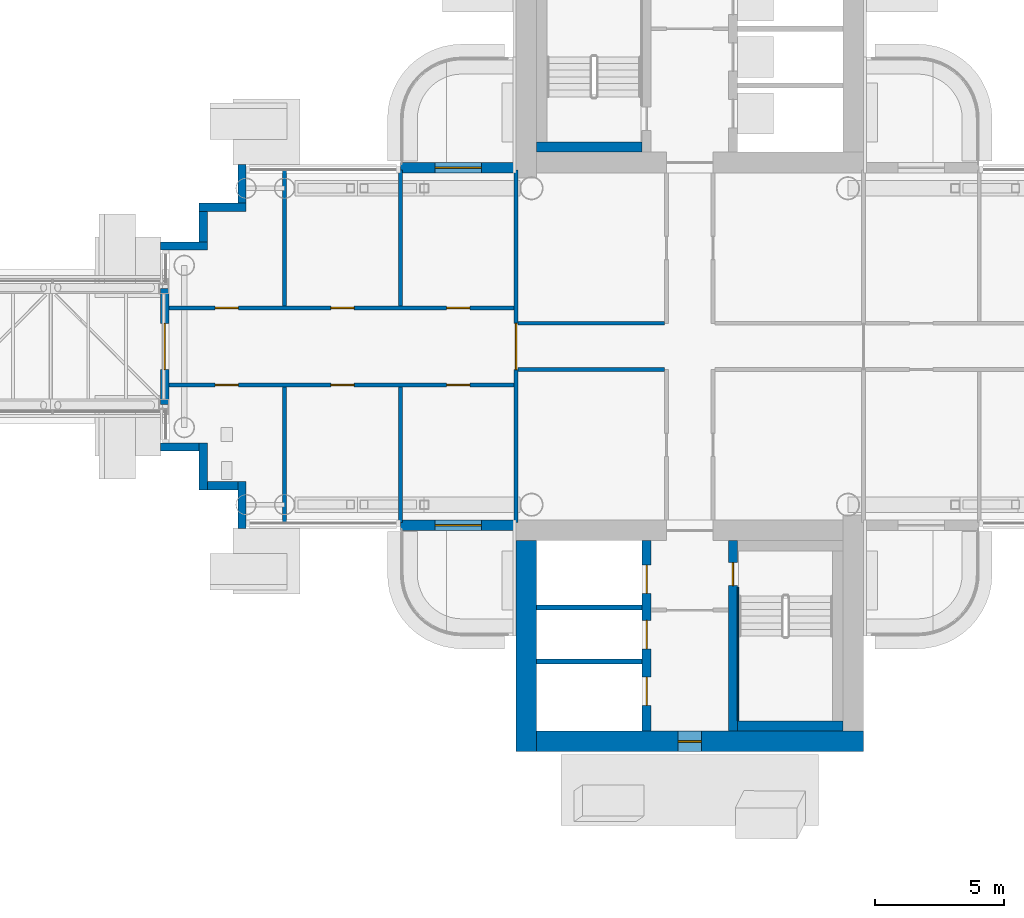
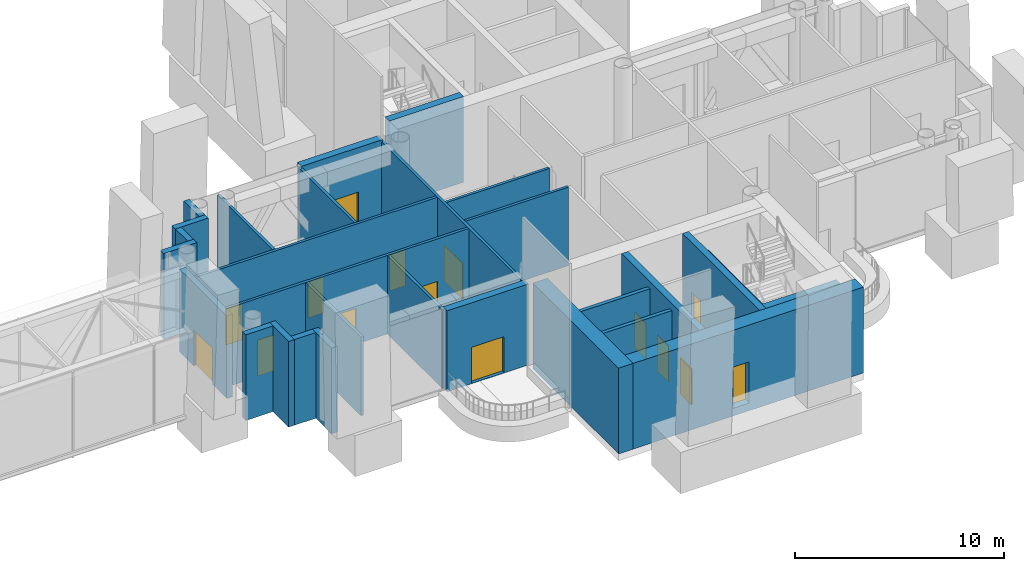
# One storey, part 15 of 34: 29 walls, 14 doors, 1 window, 15 openings.
"""IFC4 building model written with IfcOpenShell, lengths in metres."""

from ifc_helpers import new_model, si_unit, direction, frame, frame_2d, origin, place, context, subcontext, project, spatial, rectangle, extrude, material, layer, layer_set, type_object, element, fill, save


model = new_model("IFC4")

# Units and contexts
model_context = context("Model", 3, precision=1e-05, world=origin(), true_north=direction((0.0, 1.0)))
body_context = subcontext(model_context, "Body", "Model", "MODEL_VIEW")
ifc_project = project(units=[si_unit("LENGTHUNIT", "METRE"), si_unit("AREAUNIT", "SQUARE_METRE"), si_unit("VOLUMEUNIT", "CUBIC_METRE"), si_unit("PLANEANGLEUNIT", "RADIAN"), si_unit("MASSUNIT", "GRAM", prefix="KILO")], contexts=[model_context])

# Site, building, storey
site_placement = place(None, origin())
site = spatial("IfcSite", under=ifc_project, at=site_placement, CompositionType="ELEMENT")
building_placement = place(site_placement, origin())
building = spatial("IfcBuilding", under=site, at=building_placement, Name="Ipe Terrace Towers", CompositionType="ELEMENT")
storey_placement = place(building_placement, frame((0.0, 0.0, 128.699951171875)))
storey = spatial("IfcBuildingStorey", under=building, at=storey_placement, Name="L35", CompositionType="ELEMENT", Elevation=128.699951171875)

# Wall, opening, door
ifc_material_1 = material(Name="Concrete C40/50 with buff precast cladding", Category="concrete")
ifc_layer_1 = layer(ifc_material_1, 0.39990234375)
ifc_layer_set_1 = layer_set([ifc_layer_1], Name="BALCONY BAY WALL 400")
wall_type_1 = type_object("IfcWallType", Name="BALCONY BAY WALL 400", PredefinedType="STANDARD", material=ifc_layer_set_1)
wall_1_placement = place(storey_placement, frame((29.25, 6.949951171875, -0.02001953125), z_axis=(0.0, 0.0, 1.0), x_axis=(-1.0, 0.0, 0.0)))
wall_1 = element("IfcWall", 1, at=wall_1_placement, inside=storey, type_object=wall_type_1, Name="T2-W-L35-28a wall", PredefinedType="STANDARD", context=body_context, shape_type="SweptSolid", body=[
    extrude(rectangle(XDim=4.5, YDim=0.39990234375, at=frame_2d((2.25, 0.0))), origin(), (0.0, 0.0, 1.0), 4.719970703125),
])
opening_1_placement = place(wall_1_placement, frame((1.35009765625, 0.0, 0.02001953125)))
opening_1 = element("IfcOpeningElement", 2, at=opening_1_placement, cuts=wall_1, Name="Opening T2-D-L35-28", PredefinedType="OPENING", context=body_context, shape_type="SweptSolid", body=[
    extrude(rectangle(XDim=1.800048828125, YDim=2.10009765625, at=frame_2d((0.89990234375, 1.050048828125))), frame((0.0, 0.2099609375, 0.0), z_axis=(0.0, -1.0, 0.0), x_axis=(1.0, 0.0, 0.0)), (0.0, 0.0, 1.0), 0.419921875),
])
ifc_material_2 = material(Name="Aluminium alloy 6063-T6 framed glazed door", Category="aluminium")
door_type_1 = type_object("IfcDoorType", Name="BALCONY DOOR 1800 x 2100 RIGHT", OperationType="SINGLE_SWING_RIGHT", PredefinedType="DOOR", material=ifc_material_2)
door_1_placement = place(opening_1_placement, origin())
door_1 = element("IfcDoor", 3, at=door_1_placement, inside=storey, type_object=door_type_1, Name="DB2 door", OperationType="SINGLE_SWING_RIGHT", OverallHeight=2.10009765625, OverallWidth=1.800048828125, PredefinedType="DOOR", context=body_context, shape_type="SweptSolid", body=[
    extrude(rectangle(XDim=1.800048828125, YDim=2.10009765625, at=frame_2d((0.89990234375, 1.050048828125))), frame((0.0, 0.02490234375, 0.0), z_axis=(0.0, -1.0, 0.0), x_axis=(1.0, 0.0, 0.0)), (0.0, 0.0, 1.0), 0.050048828125),
])
fill(opening_1, door_1)

wall_2_placement = place(storey_placement, frame((24.75, -6.949951171875, -0.02001953125), z_axis=(0.0, 0.0, 1.0), x_axis=(1.0, 0.0, 0.0)))
wall_2 = element("IfcWall", 4, at=wall_2_placement, inside=storey, type_object=wall_type_1, Name="T2-W-L35-40a wall", PredefinedType="STANDARD", context=body_context, shape_type="SweptSolid", body=[
    extrude(rectangle(XDim=4.5, YDim=0.39990234375, at=frame_2d((2.25, 0.0))), origin(), (0.0, 0.0, 1.0), 4.719970703125),
])
opening_2_placement = place(wall_2_placement, frame((1.35009765625, 0.0, 0.02001953125)))
opening_2 = element("IfcOpeningElement", 5, at=opening_2_placement, cuts=wall_2, Name="Opening T2-D-L35-40", PredefinedType="OPENING", context=body_context, shape_type="SweptSolid", body=[
    extrude(rectangle(XDim=1.800048828125, YDim=2.10009765625, at=frame_2d((0.89990234375, 1.050048828125))), frame((0.0, 0.2099609375, 0.0), z_axis=(0.0, -1.0, 0.0), x_axis=(1.0, 0.0, 0.0)), (0.0, 0.0, 1.0), 0.419921875),
])
door_2_placement = place(opening_2_placement, origin())
door_2 = element("IfcDoor", 6, at=door_2_placement, inside=storey, type_object=door_type_1, Name="DB2 door", OperationType="SINGLE_SWING_RIGHT", OverallHeight=2.10009765625, OverallWidth=1.800048828125, PredefinedType="DOOR", context=body_context, shape_type="SweptSolid", body=[
    extrude(rectangle(XDim=1.800048828125, YDim=2.10009765625, at=frame_2d((0.89990234375, 1.050048828125))), frame((0.0, 0.02490234375, 0.0), z_axis=(0.0, -1.0, 0.0), x_axis=(1.0, 0.0, 0.0)), (0.0, 0.0, 1.0), 0.050048828125),
])
fill(opening_2, door_2)

# Walls
ifc_material_3 = material(Name="Concrete C40/50 with buff precast cladding", Category="concrete")
ifc_layer_2 = layer(ifc_material_3, 0.320068359375)
ifc_layer_set_2 = layer_set([ifc_layer_2], Name="BUFF CLADDING WALL 320")
wall_type_2 = type_object("IfcWallType", Name="BUFF CLADDING WALL 320", PredefinedType="STANDARD", material=ifc_layer_set_2)
wall_3_placement = place(storey_placement, frame((18.590087890625, 7.070068359375, -0.300048828125), z_axis=(0.0, 0.0, 1.0), x_axis=(0.0, -1.0, 0.0)))
element("IfcWall", 7, at=wall_3_placement, inside=storey, type_object=wall_type_2, Name="T2-W-L35-30a wall", PredefinedType="STANDARD", context=body_context, shape_type="SweptSolid", body=[
    extrude(rectangle(XDim=1.5, YDim=0.320068359375, at=frame_2d((0.75, 0.0))), origin(), (0.0, 0.0, 1.0), 5.0),
])
wall_4_placement = place(storey_placement, frame((18.75, 5.409912109375, -0.300048828125), z_axis=(0.0, 0.0, 1.0), x_axis=(-1.0, 0.0, 0.0)))
element("IfcWall", 8, at=wall_4_placement, inside=storey, type_object=wall_type_2, Name="T2-W-L35-31a wall", PredefinedType="STANDARD", context=body_context, shape_type="SweptSolid", body=[
    extrude(rectangle(XDim=1.820068359375, YDim=0.320068359375, at=frame_2d((0.91015625, 0.0))), origin(), (0.0, 0.0, 1.0), 5.0),
])
wall_5_placement = place(storey_placement, frame((17.090087890625, 5.25, -0.300048828125), z_axis=(0.0, 0.0, 1.0), x_axis=(0.0, -1.0, 0.0)))
element("IfcWall", 9, at=wall_5_placement, inside=storey, type_object=wall_type_2, Name="T2-W-L35-32a wall", PredefinedType="STANDARD", context=body_context, shape_type="SweptSolid", body=[
    extrude(rectangle(XDim=1.179931640625, YDim=0.320068359375, at=frame_2d((0.58984375, 0.0))), origin(), (0.0, 0.0, 1.0), 5.0),
])
wall_6_placement = place(storey_placement, frame((17.25, 3.909912109375, -0.300048828125), z_axis=(0.0, 0.0, 1.0), x_axis=(-1.0, 0.0, 0.0)))
element("IfcWall", 10, at=wall_6_placement, inside=storey, type_object=wall_type_2, Name="T2-W-L35-33a wall", PredefinedType="STANDARD", context=body_context, shape_type="SweptSolid", body=[
    extrude(rectangle(XDim=1.820068359375, YDim=0.320068359375, at=frame_2d((0.91015625, 0.0))), origin(), (0.0, 0.0, 1.0), 5.0),
])

# Wall, opening, door
wall_7_placement = place(storey_placement, frame((15.590087890625, 2.25, -0.119873046875), z_axis=(0.0, 0.0, 1.0), x_axis=(0.0, -1.0, 0.0)))
wall_7 = element("IfcWall", 11, at=wall_7_placement, inside=storey, type_object=wall_type_2, Name="T2-W-L35-34b wall", PredefinedType="STANDARD", context=body_context, shape_type="SweptSolid", body=[
    extrude(rectangle(XDim=4.5, YDim=0.320068359375, at=frame_2d((2.25, 0.0))), origin(), (0.0, 0.0, 1.0), 4.81982421875),
])
opening_3_placement = place(wall_7_placement, frame((1.35009765625, 0.0, 0.0)))
opening_3 = element("IfcOpeningElement", 12, at=opening_3_placement, cuts=wall_7, Name="Opening T2-D-L35-34", PredefinedType="OPENING", context=body_context, shape_type="SweptSolid", body=[
    extrude(rectangle(XDim=1.800048828125, YDim=2.10009765625, at=frame_2d((0.89990234375, 1.050048828125))), frame((0.0, 0.169921875, 0.0), z_axis=(0.0, -1.0, 0.0), x_axis=(1.0, 0.0, 0.0)), (0.0, 0.0, 1.0), 0.340087890625),
])
ifc_material_4 = material(Name="Steel S235 fire door", Category="steel")
door_type_2 = type_object("IfcDoorType", Name="BRIDGE FIRE DOOR 1800 x 2100", OperationType="DOUBLE_DOOR_SINGLE_SWING", PredefinedType="DOOR", material=ifc_material_4)
door_3_placement = place(opening_3_placement, origin())
door_3 = element("IfcDoor", 13, at=door_3_placement, inside=storey, type_object=door_type_2, Name="DF1 door", OperationType="DOUBLE_DOOR_SINGLE_SWING", OverallHeight=2.10009765625, OverallWidth=1.800048828125, PredefinedType="DOOR", context=body_context, shape_type="SweptSolid", body=[
    extrude(rectangle(XDim=1.800048828125, YDim=2.10009765625, at=frame_2d((0.89990234375, 1.050048828125))), frame((0.0, 0.02490234375, 0.0), z_axis=(0.0, -1.0, 0.0), x_axis=(1.0, 0.0, 0.0)), (0.0, 0.0, 1.0), 0.050048828125),
])
fill(opening_3, door_3)

# Walls
wall_8_placement = place(storey_placement, frame((15.429931640625, -3.909912109375, -0.300048828125), z_axis=(0.0, 0.0, 1.0), x_axis=(1.0, 0.0, 0.0)))
element("IfcWall", 14, at=wall_8_placement, inside=storey, type_object=wall_type_2, Name="T2-W-L35-35a wall", PredefinedType="STANDARD", context=body_context, shape_type="SweptSolid", body=[
    extrude(rectangle(XDim=1.5, YDim=0.320068359375, at=frame_2d((0.75, 0.0))), origin(), (0.0, 0.0, 1.0), 5.0),
])
wall_9_placement = place(storey_placement, frame((17.090087890625, -3.75, -0.300048828125), z_axis=(0.0, 0.0, 1.0), x_axis=(0.0, -1.0, 0.0)))
element("IfcWall", 15, at=wall_9_placement, inside=storey, type_object=wall_type_2, Name="T2-W-L35-36a wall", PredefinedType="STANDARD", context=body_context, shape_type="SweptSolid", body=[
    extrude(rectangle(XDim=1.820068359375, YDim=0.320068359375, at=frame_2d((0.91015625, 0.0))), origin(), (0.0, 0.0, 1.0), 5.0),
])
wall_10_placement = place(storey_placement, frame((17.25, -5.409912109375, -0.300048828125), z_axis=(0.0, 0.0, 1.0), x_axis=(1.0, 0.0, 0.0)))
element("IfcWall", 16, at=wall_10_placement, inside=storey, type_object=wall_type_2, Name="T2-W-L35-37a wall", PredefinedType="STANDARD", context=body_context, shape_type="SweptSolid", body=[
    extrude(rectangle(XDim=1.179931640625, YDim=0.320068359375, at=frame_2d((0.58984375, 0.0))), origin(), (0.0, 0.0, 1.0), 5.0),
])
wall_11_placement = place(storey_placement, frame((18.590087890625, -5.25, -0.300048828125), z_axis=(0.0, 0.0, 1.0), x_axis=(0.0, -1.0, 0.0)))
element("IfcWall", 17, at=wall_11_placement, inside=storey, type_object=wall_type_2, Name="T2-W-L35-38a wall", PredefinedType="STANDARD", context=body_context, shape_type="SweptSolid", body=[
    extrude(rectangle(XDim=1.820068359375, YDim=0.320068359375, at=frame_2d((0.91015625, 0.0))), origin(), (0.0, 0.0, 1.0), 5.0),
])
ifc_material_5 = material(Name="Gypsum board partition", Category="plasterboard")
ifc_layer_3 = layer(ifc_material_5, 0.14990234375)
ifc_layer_set_3 = layer_set([ifc_layer_3], Name="Gypsum board partition 150 mm")
wall_type_3 = type_object("IfcWallType", Name="Gypsum board partition 150 mm", PredefinedType="PARTITIONING", material=ifc_layer_set_3)
for number, where, z_axis, x_axis, name in (
    (18, (35.02490234375, 0.89990234375, 0.0), (0.0, 0.0, 1.0), (-1.0, 0.0, 0.0), "Gypsum board partition T2 L35 sp-hub-qen-y"),
    (19, (35.02490234375, -0.89990234375, 0.0), (0.0, 0.0, 1.0), (-1.0, 0.0, 0.0), "Gypsum board partition T2 L35 sp-hub-qwn-y"),
):
    element("IfcWall", number, at=place(storey_placement, frame(where, z_axis=z_axis, x_axis=x_axis)), inside=storey, type_object=wall_type_3, Name=name, PredefinedType="PARTITIONING", context=body_context, shape_type="SweptSolid", body=[
        extrude(rectangle(XDim=5.699951171875, YDim=0.14990234375, at=frame_2d((2.85009765625, 0.0))), origin(), (0.0, 0.0, 1.0), 4.580078125),
    ])

# Wall, opening, door
wall_12_placement = place(storey_placement, frame((29.25, -6.85009765625, 0.0), z_axis=(0.0, 0.0, 1.0), x_axis=(0.0, 1.0, 0.0)))
wall_12 = element("IfcWall", 20, at=wall_12_placement, inside=storey, type_object=wall_type_3, Name="Gypsum board partition T2 L35 sp-Sp-mouth", PredefinedType="PARTITIONING", context=body_context, shape_type="SweptSolid", body=[
    extrude(rectangle(XDim=13.7001953125, YDim=0.14990234375, at=frame_2d((6.85009765625, 0.0))), origin(), (0.0, 0.0, 1.0), 4.580078125),
])
opening_4_placement = place(wall_12_placement, frame((5.949951171875, 0.0, 0.0)))
opening_4 = element("IfcOpeningElement", 21, at=opening_4_placement, cuts=wall_12, Name="Opening T2-SP-MSp", PredefinedType="OPENING", context=body_context, shape_type="SweptSolid", body=[
    extrude(rectangle(XDim=1.800048828125, YDim=2.10009765625, at=frame_2d((0.89990234375, 1.050048828125))), frame((0.0, 0.0849609375, 0.0), z_axis=(0.0, -1.0, 0.0), x_axis=(1.0, 0.0, 0.0)), (0.0, 0.0, 1.0), 0.169921875),
])
ifc_material_6 = material(Name="Fire-rated timber door leaf", Category="wood")
door_type_3 = type_object("IfcDoorType", Name="Lobby door 1800 x 2100 FD30S", OperationType="NOTDEFINED", PredefinedType="DOOR", material=ifc_material_6)
door_4_placement = place(opening_4_placement, origin())
door_4 = element("IfcDoor", 22, at=door_4_placement, inside=storey, type_object=door_type_3, Name="Lobby door T2-SP-MSp", OperationType="SINGLE_SWING_LEFT", OverallHeight=2.10009765625, OverallWidth=1.800048828125, PredefinedType="DOOR", context=body_context, shape_type="SweptSolid", body=[
    extrude(rectangle(XDim=1.800048828125, YDim=2.10009765625, at=frame_2d((0.89990234375, 1.050048828125))), frame((0.0, 0.02490234375, 0.0), z_axis=(0.0, -1.0, 0.0), x_axis=(1.0, 0.0, 0.0)), (0.0, 0.0, 1.0), 0.050048828125),
])
fill(opening_4, door_4)

# Wall, openings, doors
wall_13_placement = place(storey_placement, frame((29.25, 1.5, 0.0), z_axis=(0.0, 0.0, 1.0), x_axis=(-1.0, 0.0, 0.0)))
wall_13 = element("IfcWall", 23, at=wall_13_placement, inside=storey, type_object=wall_type_3, Name="Gypsum board partition T2 L35 sp-Sp-wp", PredefinedType="PARTITIONING", context=body_context, shape_type="SweptSolid", body=[
    extrude(rectangle(XDim=13.60009765625, YDim=0.14990234375, at=frame_2d((6.800048828125, 0.0))), origin(), (0.0, 0.0, 1.0), 4.580078125),
])
opening_5_placement = place(wall_13_placement, frame((1.800048828125, 0.0, 0.0)))
opening_5 = element("IfcOpeningElement", 24, at=opening_5_placement, cuts=wall_13, Name="Opening T2-SP-PSp1", PredefinedType="OPENING", context=body_context, shape_type="SweptSolid", body=[
    extrude(rectangle(XDim=0.89990234375, YDim=2.10009765625, at=frame_2d((0.449951171875, 1.050048828125))), frame((0.0, 0.0849609375, 0.0), z_axis=(0.0, -1.0, 0.0), x_axis=(1.0, 0.0, 0.0)), (0.0, 0.0, 1.0), 0.169921875),
])
opening_6_placement = place(wall_13_placement, frame((6.300048828125, 0.0, 0.0)))
opening_6 = element("IfcOpeningElement", 25, at=opening_6_placement, cuts=wall_13, Name="Opening T2-SP-PSp2-FD30S", PredefinedType="OPENING", context=body_context, shape_type="SweptSolid", body=[
    extrude(rectangle(XDim=0.89990234375, YDim=2.10009765625, at=frame_2d((0.449951171875, 1.050048828125))), frame((0.0, 0.0849609375, 0.0), z_axis=(0.0, -1.0, 0.0), x_axis=(1.0, 0.0, 0.0)), (0.0, 0.0, 1.0), 0.169921875),
])
opening_7_placement = place(wall_13_placement, frame((10.800048828125, 0.0, 0.0)))
opening_7 = element("IfcOpeningElement", 26, at=opening_7_placement, cuts=wall_13, Name="Opening T2-SP-PSp3", PredefinedType="OPENING", context=body_context, shape_type="SweptSolid", body=[
    extrude(rectangle(XDim=0.89990234375, YDim=2.10009765625, at=frame_2d((0.449951171875, 1.050048828125))), frame((0.0, 0.0849609375, 0.0), z_axis=(0.0, -1.0, 0.0), x_axis=(1.0, 0.0, 0.0)), (0.0, 0.0, 1.0), 0.169921875),
])
ifc_material_7 = material(Name="Fire-rated timber door leaf", Category="wood")
door_type_4 = type_object("IfcDoorType", Name="Lounge door 900 x 2100 FD30S", OperationType="NOTDEFINED", PredefinedType="DOOR", material=ifc_material_7)
door_5_placement = place(opening_5_placement, origin())
door_5 = element("IfcDoor", 27, at=door_5_placement, inside=storey, type_object=door_type_4, Name="Lounge door T2-SP-PSp1", OperationType="SINGLE_SWING_LEFT", OverallHeight=2.10009765625, OverallWidth=0.89990234375, PredefinedType="DOOR", context=body_context, shape_type="SweptSolid", body=[
    extrude(rectangle(XDim=0.89990234375, YDim=2.10009765625, at=frame_2d((0.449951171875, 1.050048828125))), frame((0.0, 0.02490234375, 0.0), z_axis=(0.0, -1.0, 0.0), x_axis=(1.0, 0.0, 0.0)), (0.0, 0.0, 1.0), 0.050048828125),
])
fill(opening_5, door_5)
door_6_placement = place(opening_6_placement, origin())
door_6 = element("IfcDoor", 28, at=door_6_placement, inside=storey, type_object=door_type_4, Name="Lounge door T2-SP-PSp2-FD30S", OperationType="SINGLE_SWING_RIGHT", OverallHeight=2.10009765625, OverallWidth=0.89990234375, PredefinedType="DOOR", context=body_context, shape_type="SweptSolid", body=[
    extrude(rectangle(XDim=0.89990234375, YDim=2.10009765625, at=frame_2d((0.449951171875, 1.050048828125))), frame((0.0, 0.02490234375, 0.0), z_axis=(0.0, -1.0, 0.0), x_axis=(1.0, 0.0, 0.0)), (0.0, 0.0, 1.0), 0.050048828125),
])
fill(opening_6, door_6)
door_7_placement = place(opening_7_placement, origin())
door_7 = element("IfcDoor", 29, at=door_7_placement, inside=storey, type_object=door_type_4, Name="Lounge door T2-SP-PSp3", OperationType="SINGLE_SWING_LEFT", OverallHeight=2.10009765625, OverallWidth=0.89990234375, PredefinedType="DOOR", context=body_context, shape_type="SweptSolid", body=[
    extrude(rectangle(XDim=0.89990234375, YDim=2.10009765625, at=frame_2d((0.449951171875, 1.050048828125))), frame((0.0, 0.02490234375, 0.0), z_axis=(0.0, -1.0, 0.0), x_axis=(1.0, 0.0, 0.0)), (0.0, 0.0, 1.0), 0.050048828125),
])
fill(opening_7, door_7)

# Walls
for number, where, z_axis, x_axis, name in (
    (30, (24.75, 1.574951171875, 0.0), (0.0, 0.0, 1.0), (0.0, 1.0, 0.0), "Gypsum board partition T2 L35 sp-Sp-dp1"),
    (31, (20.25, 1.574951171875, 0.0), (0.0, 0.0, 1.0), (0.0, 1.0, 0.0), "Gypsum board partition T2 L35 sp-Sp-dp2"),
):
    element("IfcWall", number, at=place(storey_placement, frame(where, z_axis=z_axis, x_axis=x_axis)), inside=storey, type_object=wall_type_3, Name=name, PredefinedType="PARTITIONING", context=body_context, shape_type="SweptSolid", body=[
        extrude(rectangle(XDim=5.275146484375, YDim=0.14990234375, at=frame_2d((2.6376953125, 0.0))), origin(), (0.0, 0.0, 1.0), 4.580078125),
    ])

# Wall, openings, doors
wall_14_placement = place(storey_placement, frame((29.25, -1.5, 0.0), z_axis=(0.0, 0.0, 1.0), x_axis=(-1.0, 0.0, 0.0)))
wall_14 = element("IfcWall", 32, at=wall_14_placement, inside=storey, type_object=wall_type_3, Name="Gypsum board partition T2 L35 sp-Sp-wm", PredefinedType="PARTITIONING", context=body_context, shape_type="SweptSolid", body=[
    extrude(rectangle(XDim=13.60009765625, YDim=0.14990234375, at=frame_2d((6.800048828125, 0.0))), origin(), (0.0, 0.0, 1.0), 4.580078125),
])
opening_8_placement = place(wall_14_placement, frame((1.800048828125, 0.0, 0.0)))
opening_8 = element("IfcOpeningElement", 33, at=opening_8_placement, cuts=wall_14, Name="Opening T2-SP-MSp1", PredefinedType="OPENING", context=body_context, shape_type="SweptSolid", body=[
    extrude(rectangle(XDim=0.89990234375, YDim=2.10009765625, at=frame_2d((0.449951171875, 1.050048828125))), frame((0.0, 0.0849609375, 0.0), z_axis=(0.0, -1.0, 0.0), x_axis=(1.0, 0.0, 0.0)), (0.0, 0.0, 1.0), 0.169921875),
])
opening_9_placement = place(wall_14_placement, frame((6.300048828125, 0.0, 0.0)))
opening_9 = element("IfcOpeningElement", 34, at=opening_9_placement, cuts=wall_14, Name="Opening T2-SP-MSp2", PredefinedType="OPENING", context=body_context, shape_type="SweptSolid", body=[
    extrude(rectangle(XDim=0.89990234375, YDim=2.10009765625, at=frame_2d((0.449951171875, 1.050048828125))), frame((0.0, 0.0849609375, 0.0), z_axis=(0.0, -1.0, 0.0), x_axis=(1.0, 0.0, 0.0)), (0.0, 0.0, 1.0), 0.169921875),
])
opening_10_placement = place(wall_14_placement, frame((10.800048828125, 0.0, 0.0)))
opening_10 = element("IfcOpeningElement", 35, at=opening_10_placement, cuts=wall_14, Name="Opening T2-SP-MSp3-NR", PredefinedType="OPENING", context=body_context, shape_type="SweptSolid", body=[
    extrude(rectangle(XDim=0.89990234375, YDim=2.10009765625, at=frame_2d((0.449951171875, 1.050048828125))), frame((0.0, 0.0849609375, 0.0), z_axis=(0.0, -1.0, 0.0), x_axis=(1.0, 0.0, 0.0)), (0.0, 0.0, 1.0), 0.169921875),
])
ifc_material_8 = material(Name="Timber door leaf", Category="wood")
door_type_5 = type_object("IfcDoorType", Name="Lounge door 900 x 2100", OperationType="NOTDEFINED", PredefinedType="DOOR", material=ifc_material_8)
door_8_placement = place(opening_10_placement, origin())
door_8 = element("IfcDoor", 36, at=door_8_placement, inside=storey, type_object=door_type_5, Name="Lounge door T2-SP-MSp3-NR", OperationType="SINGLE_SWING_RIGHT", OverallHeight=2.10009765625, OverallWidth=0.89990234375, PredefinedType="DOOR", context=body_context, shape_type="SweptSolid", body=[
    extrude(rectangle(XDim=0.89990234375, YDim=2.10009765625, at=frame_2d((0.449951171875, 1.050048828125))), frame((0.0, 0.02490234375, 0.0), z_axis=(0.0, -1.0, 0.0), x_axis=(1.0, 0.0, 0.0)), (0.0, 0.0, 1.0), 0.050048828125),
])
fill(opening_10, door_8)
door_9_placement = place(opening_8_placement, origin())
door_9 = element("IfcDoor", 37, at=door_9_placement, inside=storey, type_object=door_type_4, Name="Lounge door T2-SP-MSp1", OperationType="SINGLE_SWING_RIGHT", OverallHeight=2.10009765625, OverallWidth=0.89990234375, PredefinedType="DOOR", context=body_context, shape_type="SweptSolid", body=[
    extrude(rectangle(XDim=0.89990234375, YDim=2.10009765625, at=frame_2d((0.449951171875, 1.050048828125))), frame((0.0, 0.02490234375, 0.0), z_axis=(0.0, -1.0, 0.0), x_axis=(1.0, 0.0, 0.0)), (0.0, 0.0, 1.0), 0.050048828125),
])
fill(opening_8, door_9)
door_10_placement = place(opening_9_placement, origin())
door_10 = element("IfcDoor", 38, at=door_10_placement, inside=storey, type_object=door_type_4, Name="Lounge door T2-SP-MSp2", OperationType="SINGLE_SWING_LEFT", OverallHeight=2.10009765625, OverallWidth=0.89990234375, PredefinedType="DOOR", context=body_context, shape_type="SweptSolid", body=[
    extrude(rectangle(XDim=0.89990234375, YDim=2.10009765625, at=frame_2d((0.449951171875, 1.050048828125))), frame((0.0, 0.02490234375, 0.0), z_axis=(0.0, -1.0, 0.0), x_axis=(1.0, 0.0, 0.0)), (0.0, 0.0, 1.0), 0.050048828125),
])
fill(opening_9, door_10)

# Walls
for number, where, z_axis, x_axis, name in (
    (39, (24.75, -1.574951171875, 0.0), (0.0, 0.0, 1.0), (0.0, -1.0, 0.0), "Gypsum board partition T2 L35 sp-Sp-dm1"),
    (40, (20.25, -1.574951171875, 0.0), (0.0, 0.0, 1.0), (0.0, -1.0, 0.0), "Gypsum board partition T2 L35 sp-Sp-dm2"),
):
    element("IfcWall", number, at=place(storey_placement, frame(where, z_axis=z_axis, x_axis=x_axis)), inside=storey, type_object=wall_type_3, Name=name, PredefinedType="PARTITIONING", context=body_context, shape_type="SweptSolid", body=[
        extrude(rectangle(XDim=5.275146484375, YDim=0.14990234375, at=frame_2d((2.6376953125, 0.0))), origin(), (0.0, 0.0, 1.0), 4.580078125),
    ])
ifc_material_9 = material(Name="Gypsum board party wall", Category="plasterboard")
ifc_layer_4 = layer(ifc_material_9, 0.199951171875)
ifc_layer_set_4 = layer_set([ifc_layer_4], Name="Gypsum board party wall 200 mm")
wall_type_4 = type_object("IfcWallType", Name="Gypsum board party wall 200 mm", PredefinedType="SOLIDWALL", material=ifc_layer_set_4)
for number, where, z_axis, x_axis, name in (
    (41, (30.050048828125, -10.14990234375, 0.0), (0.0, 0.0, 1.0), (1.0, 0.0, 0.0), "Gypsum board party wall T2 L35 t2c2-shaft-div1"),
    (42, (30.050048828125, -12.25, 0.0), (0.0, 0.0, 1.0), (1.0, 0.0, 0.0), "Gypsum board party wall T2 L35 t2c2-shaft-div2"),
):
    element("IfcWall", number, at=place(storey_placement, frame(where, z_axis=z_axis, x_axis=x_axis)), inside=storey, type_object=wall_type_4, Name=name, PredefinedType="SOLIDWALL", context=body_context, shape_type="SweptSolid", body=[
        extrude(rectangle(XDim=4.099853515625, YDim=0.199951171875, at=frame_2d((2.0498046875, 0.0))), origin(), (0.0, 0.0, 1.0), 4.580078125),
    ])

# Wall, openings, doors
ifc_material_10 = material(Name="Concrete C50/60", Category="concrete")
ifc_layer_5 = layer(ifc_material_10, 0.35009765625)
ifc_layer_set_5 = layer_set([ifc_layer_5], Name="RW350 CORE SPINE WALL 350 C50-60")
wall_type_5 = type_object("IfcWallType", Name="RW350 CORE SPINE WALL 350 C50-60", PredefinedType="SHEAR", material=ifc_layer_set_5)
wall_15_placement = place(storey_placement, frame((34.324951171875, -14.949951171875, 0.0), z_axis=(0.0, 0.0, 1.0), x_axis=(0.0, 1.0, 0.0)))
wall_15 = element("IfcWall", 43, at=wall_15_placement, inside=storey, type_object=wall_type_5, Name="Core spine wall T2-C2-Z3-SW1", PredefinedType="SHEAR", context=body_context, shape_type="SweptSolid", body=[
    extrude(rectangle(XDim=7.39990234375, YDim=0.35009765625, at=frame_2d((3.699951171875, 0.0))), origin(), (0.0, 0.0, 1.0), 5.0),
])
opening_11_placement = place(wall_15_placement, frame((5.35009765625, 0.0, 0.0)))
opening_11 = element("IfcOpeningElement", 44, at=opening_11_placement, cuts=wall_15, Name="Opening T2C2-LD1", PredefinedType="OPENING", context=body_context, shape_type="SweptSolid", body=[
    extrude(rectangle(XDim=1.10009765625, YDim=2.10009765625, at=frame_2d((0.550048828125, 1.050048828125))), frame((0.0, 0.18505859375, 0.0), z_axis=(0.0, -1.0, 0.0), x_axis=(1.0, 0.0, 0.0)), (0.0, 0.0, 1.0), 0.3701171875),
])
opening_12_placement = place(wall_15_placement, frame((3.199951171875, 0.0, 0.0)))
opening_12 = element("IfcOpeningElement", 45, at=opening_12_placement, cuts=wall_15, Name="Opening T2C2-LD2", PredefinedType="OPENING", context=body_context, shape_type="SweptSolid", body=[
    extrude(rectangle(XDim=1.10009765625, YDim=2.10009765625, at=frame_2d((0.550048828125, 1.050048828125))), frame((0.0, 0.18505859375, 0.0), z_axis=(0.0, -1.0, 0.0), x_axis=(1.0, 0.0, 0.0)), (0.0, 0.0, 1.0), 0.3701171875),
])
opening_13_placement = place(wall_15_placement, frame((1.0, 0.0, 0.0)))
opening_13 = element("IfcOpeningElement", 46, at=opening_13_placement, cuts=wall_15, Name="Opening T2C2-LD3", PredefinedType="OPENING", context=body_context, shape_type="SweptSolid", body=[
    extrude(rectangle(XDim=1.10009765625, YDim=2.10009765625, at=frame_2d((0.550048828125, 1.050048828125))), frame((0.0, 0.18505859375, 0.0), z_axis=(0.0, -1.0, 0.0), x_axis=(1.0, 0.0, 0.0)), (0.0, 0.0, 1.0), 0.3701171875),
])
ifc_material_11 = material(Name="Fire-rated timber door leaf", Category="wood")
door_type_6 = type_object("IfcDoorType", Name="Sliding door 1100 x 2100 FD60", OperationType="SLIDING_TO_LEFT", PredefinedType="DOOR", material=ifc_material_11)
door_11_placement = place(opening_11_placement, origin())
door_11 = element("IfcDoor", 47, at=door_11_placement, inside=storey, type_object=door_type_6, Name="Sliding door T2C2-LD1", OperationType="SLIDING_TO_LEFT", OverallHeight=2.10009765625, OverallWidth=1.10009765625, PredefinedType="DOOR", context=body_context, shape_type="SweptSolid", body=[
    extrude(rectangle(XDim=1.10009765625, YDim=2.10009765625, at=frame_2d((0.550048828125, 1.050048828125))), frame((0.0, 0.02490234375, 0.0), z_axis=(0.0, -1.0, 0.0), x_axis=(1.0, 0.0, 0.0)), (0.0, 0.0, 1.0), 0.050048828125),
])
fill(opening_11, door_11)
door_12_placement = place(opening_12_placement, origin())
door_12 = element("IfcDoor", 48, at=door_12_placement, inside=storey, type_object=door_type_6, Name="Sliding door T2C2-LD2", OperationType="SLIDING_TO_LEFT", OverallHeight=2.10009765625, OverallWidth=1.10009765625, PredefinedType="DOOR", context=body_context, shape_type="SweptSolid", body=[
    extrude(rectangle(XDim=1.10009765625, YDim=2.10009765625, at=frame_2d((0.550048828125, 1.050048828125))), frame((0.0, 0.02490234375, 0.0), z_axis=(0.0, -1.0, 0.0), x_axis=(1.0, 0.0, 0.0)), (0.0, 0.0, 1.0), 0.050048828125),
])
fill(opening_12, door_12)
door_13_placement = place(opening_13_placement, origin())
door_13 = element("IfcDoor", 49, at=door_13_placement, inside=storey, type_object=door_type_6, Name="Sliding door T2C2-LD3", OperationType="SLIDING_TO_LEFT", OverallHeight=2.10009765625, OverallWidth=1.10009765625, PredefinedType="DOOR", context=body_context, shape_type="SweptSolid", body=[
    extrude(rectangle(XDim=1.10009765625, YDim=2.10009765625, at=frame_2d((0.550048828125, 1.050048828125))), frame((0.0, 0.02490234375, 0.0), z_axis=(0.0, -1.0, 0.0), x_axis=(1.0, 0.0, 0.0)), (0.0, 0.0, 1.0), 0.050048828125),
])
fill(opening_13, door_13)

# Wall, opening, door
wall_16_placement = place(storey_placement, frame((37.675048828125, -14.949951171875, 0.0), z_axis=(0.0, 0.0, 1.0), x_axis=(0.0, 1.0, 0.0)))
wall_16 = element("IfcWall", 50, at=wall_16_placement, inside=storey, type_object=wall_type_5, Name="Core spine wall T2-C2-Z3-SW2", PredefinedType="SHEAR", context=body_context, shape_type="SweptSolid", body=[
    extrude(rectangle(XDim=7.39990234375, YDim=0.35009765625, at=frame_2d((3.699951171875, 0.0))), origin(), (0.0, 0.0, 1.0), 5.0),
])
opening_14_placement = place(wall_16_placement, frame((5.64990234375, 0.0, 0.0)))
opening_14 = element("IfcOpeningElement", 51, at=opening_14_placement, cuts=wall_16, Name="Opening T2C2-SD", PredefinedType="OPENING", context=body_context, shape_type="SweptSolid", body=[
    extrude(rectangle(XDim=0.89990234375, YDim=2.10009765625, at=frame_2d((0.449951171875, 1.050048828125))), frame((0.0, 0.18505859375, 0.0), z_axis=(0.0, -1.0, 0.0), x_axis=(1.0, 0.0, 0.0)), (0.0, 0.0, 1.0), 0.3701171875),
])
ifc_material_12 = material(Name="Fire-rated timber door leaf", Category="wood")
door_type_7 = type_object("IfcDoorType", Name="Stair door 900 x 2100 FD60", OperationType="NOTDEFINED", PredefinedType="DOOR", material=ifc_material_12)
door_14_placement = place(opening_14_placement, origin())
door_14 = element("IfcDoor", 52, at=door_14_placement, inside=storey, type_object=door_type_7, Name="Stair door T2C2-SD", OperationType="SINGLE_SWING_RIGHT", OverallHeight=2.10009765625, OverallWidth=0.89990234375, PredefinedType="DOOR", context=body_context, shape_type="SweptSolid", body=[
    extrude(rectangle(XDim=0.89990234375, YDim=2.10009765625, at=frame_2d((0.449951171875, 1.050048828125))), frame((0.0, 0.02490234375, 0.0), z_axis=(0.0, -1.0, 0.0), x_axis=(1.0, 0.0, 0.0)), (0.0, 0.0, 1.0), 0.050048828125),
])
fill(opening_14, door_14)

# Walls
ifc_material_13 = material(Name="Concrete C50/60", Category="concrete")
ifc_layer_6 = layer(ifc_material_13, 0.39990234375)
ifc_layer_set_6 = layer_set([ifc_layer_6], Name="RW400 CORE INFILL WALL 400 C50-60")
wall_type_6 = type_object("IfcWallType", Name="RW400 CORE INFILL WALL 400 C50-60", PredefinedType="SHEAR", material=ifc_layer_set_6)
for number, where, z_axis, x_axis, name in (
    (53, (34.14990234375, 7.75, 0.0), (0.0, 0.0, 1.0), (-1.0, 0.0, 0.0), "Core infill wall T2-C1-near"),
    (54, (37.85009765625, -14.75, 0.0), (0.0, 0.0, 1.0), (1.0, 0.0, 0.0), "Core infill wall T2-C2-far"),
):
    element("IfcWall", number, at=place(storey_placement, frame(where, z_axis=z_axis, x_axis=x_axis)), inside=storey, type_object=wall_type_6, Name=name, PredefinedType="SHEAR", context=body_context, shape_type="SweptSolid", body=[
        extrude(rectangle(XDim=4.099853515625, YDim=0.39990234375, at=frame_2d((2.0498046875, 0.0))), origin(), (0.0, 0.0, 1.0), 5.0),
    ])
ifc_material_14 = material(Name="Concrete C50/60", Category="concrete")
ifc_layer_7 = layer(ifc_material_14, 0.050048828125)
ifc_layer_set_7 = layer_set([ifc_layer_7], Name="RW50 CORE INFILL WALL 50 C50-60")
wall_type_7 = type_object("IfcWallType", Name="RW50 CORE INFILL WALL 50 C50-60", PredefinedType="SHEAR", material=ifc_layer_set_7)
wall_17_placement = place(storey_placement, frame((37.875, -9.35009765625, 0.0), z_axis=(0.0, 0.0, 1.0), x_axis=(0.0, -1.0, 0.0)))
element("IfcWall", 55, at=wall_17_placement, inside=storey, type_object=wall_type_7, Name="Core infill wall T2-C2-spine-b", PredefinedType="SHEAR", context=body_context, shape_type="SweptSolid", body=[
    extrude(rectangle(XDim=5.199951171875, YDim=0.050048828125, at=frame_2d((2.60009765625, 0.0))), origin(), (0.0, 0.0, 1.0), 5.0),
])

# Wall, opening, window
ifc_material_15 = material(Name="Concrete C50/60", Category="concrete")
ifc_layer_8 = layer(ifc_material_15, 0.800048828125)
ifc_layer_set_8 = layer_set([ifc_layer_8], Name="RW800 CORE WALL 800 C50-60")
wall_type_8 = type_object("IfcWallType", Name="RW800 CORE WALL 800 C50-60", PredefinedType="SHEAR", material=ifc_layer_set_8)
wall_18_placement = place(storey_placement, frame((30.050048828125, -15.35009765625, 0.0), z_axis=(0.0, 0.0, 1.0), x_axis=(1.0, 0.0, 0.0)))
wall_18 = element("IfcWall", 56, at=wall_18_placement, inside=storey, type_object=wall_type_8, Name="Core wall T2-C2-Z3-W01", PredefinedType="SHEAR", context=body_context, shape_type="SweptSolid", body=[
    extrude(rectangle(XDim=12.699951171875, YDim=0.800048828125, at=frame_2d((6.35009765625, 0.0))), origin(), (0.0, 0.0, 1.0), 5.0),
])
opening_15_placement = place(wall_18_placement, frame((5.5, 0.0, 0.449951171875)))
opening_15 = element("IfcOpeningElement", 57, at=opening_15_placement, cuts=wall_18, Name="Opening T2-C2-W-01-L35", PredefinedType="OPENING", context=body_context, shape_type="SweptSolid", body=[
    extrude(rectangle(XDim=0.89990234375, YDim=2.39990234375, at=frame_2d((0.449951171875, 1.199951171875))), frame((0.0, 0.41015625, 0.0), z_axis=(0.0, -1.0, 0.0), x_axis=(1.0, 0.0, 0.0)), (0.0, 0.0, 1.0), 0.820068359375),
])
ifc_material_16 = material(Name="Fire-resistant glazing EI 60", Category="glass")
window_type = type_object("IfcWindowType", Name="CORRIDOR END SLOT WINDOW 900 x 2400 EI 60", PartitioningType="SINGLE_PANEL", PredefinedType="WINDOW", material=ifc_material_16)
window_placement = place(opening_15_placement, origin())
window = element("IfcWindow", 58, at=window_placement, inside=storey, type_object=window_type, Name="W-01 window", OverallHeight=2.39990234375, OverallWidth=0.89990234375, PartitioningType="SINGLE_PANEL", PredefinedType="WINDOW", context=body_context, shape_type="SweptSolid", body=[
    extrude(rectangle(XDim=0.89990234375, YDim=2.39990234375, at=frame_2d((0.449951171875, 1.199951171875))), frame((0.0, 0.030029296875, 0.0), z_axis=(0.0, -1.0, 0.0), x_axis=(1.0, 0.0, 0.0)), (0.0, 0.0, 1.0), 0.06005859375),
])
fill(opening_15, window)

# Wall
wall_19_placement = place(storey_placement, frame((29.64990234375, -7.550048828125, 0.0), z_axis=(0.0, 0.0, 1.0), x_axis=(0.0, -1.0, 0.0)))
element("IfcWall", 59, at=wall_19_placement, inside=storey, type_object=wall_type_8, Name="Core wall T2-C2-Z3-W04", PredefinedType="SHEAR", context=body_context, shape_type="SweptSolid", body=[
    extrude(rectangle(XDim=8.199951171875, YDim=0.800048828125, at=frame_2d((4.10009765625, 0.0))), origin(), (0.0, 0.0, 1.0), 5.0),
])

save(model, "model.ifc")
